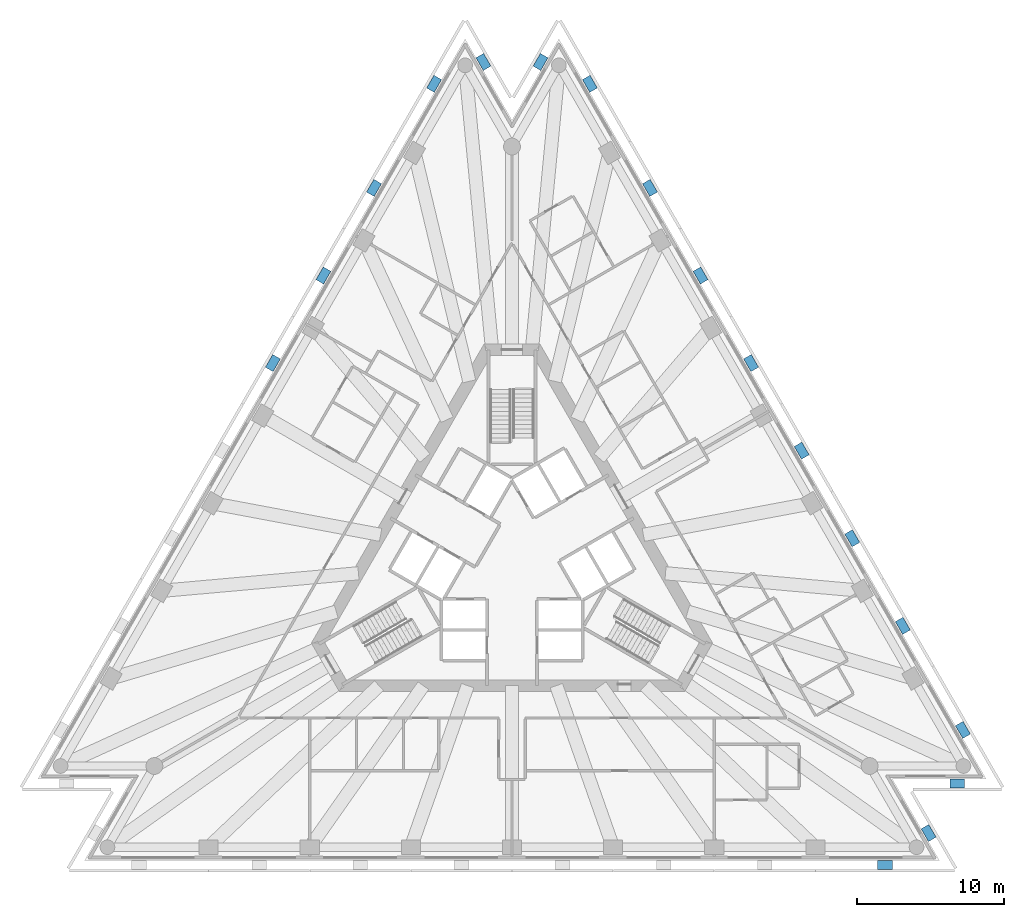
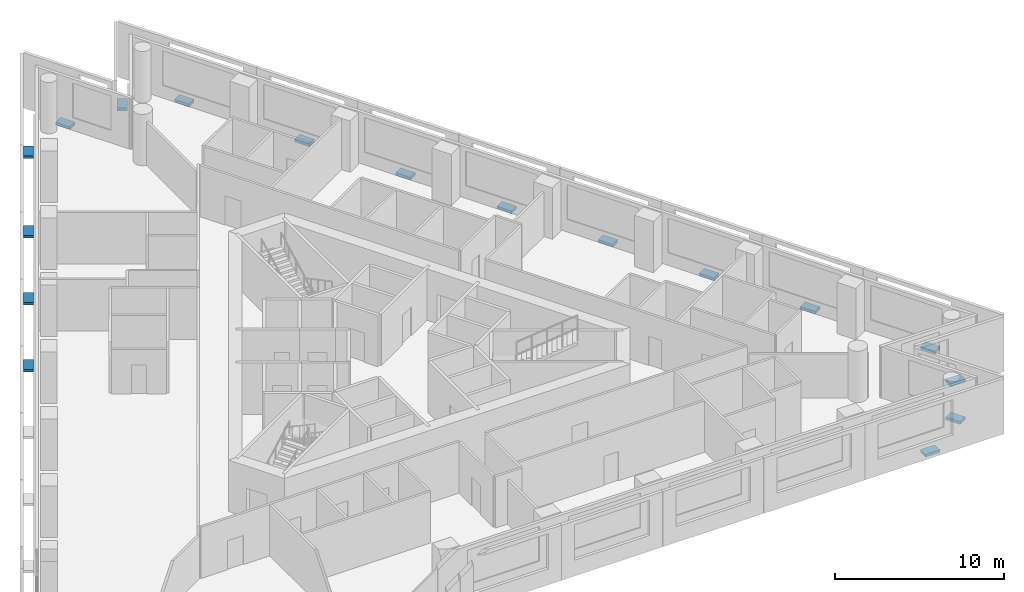
# One storey, part 8 of 10: 17 discrete accessories.
"""IFC4 building model written with IfcOpenShell, lengths in metres."""

from ifc_helpers import new_model, si_unit, direction, frame, origin, origin_2d, place, context, subcontext, project, spatial, rectangle, extrude, material, type_object, element, save


model = new_model("IFC4")

# Units and contexts
model_context = context("Model", 3, precision=1e-05, world=origin(), true_north=direction((0.0, 1.0)))
body_context = subcontext(model_context, "Body", "Model", "MODEL_VIEW")
ifc_project = project(units=[si_unit("LENGTHUNIT", "METRE"), si_unit("AREAUNIT", "SQUARE_METRE"), si_unit("VOLUMEUNIT", "CUBIC_METRE"), si_unit("PLANEANGLEUNIT", "RADIAN"), si_unit("MASSUNIT", "GRAM", prefix="KILO")], contexts=[model_context])

# Site, building, storey
site_placement = place(None, origin())
site = spatial("IfcSite", under=ifc_project, at=site_placement, CompositionType="ELEMENT")
building_placement = place(site_placement, origin())
building = spatial("IfcBuilding", under=site, at=building_placement, Name="Triada Interchange Tower", CompositionType="ELEMENT")
storey_placement = place(building_placement, frame((0.0, 0.0, 120.300048828125)))
storey = spatial("IfcBuildingStorey", under=building, at=storey_placement, Name="L27", CompositionType="ELEMENT", Elevation=120.300048828125)

# Discrete accessories
ifc_material = material(Name="Steel S355", Category="steel")
discrete_accessory_type = type_object("IfcDiscreteAccessoryType", Name="Steel bracket outer skin", PredefinedType="BRACKET", material=ifc_material)
for number, where, z_axis, x_axis, name in (
    (1, (-5.31298828125, 32.445068359375, -0.27001953125), (0.0, 0.0, 1.0), (-0.866028484274, 0.499994664397, 0.0), "Bracket L27 01"),
    (2, (-9.412109375, 25.345947265625, -0.27001953125), (0.0, 0.0, 1.0), (-0.866028484274, 0.499994664397, 0.0), "Bracket L27 02"),
    (3, (-12.860107421875, 19.373046875, -0.27001953125), (0.0, 0.0, 1.0), (-0.866028484274, 0.499994664397, 0.0), "Bracket L27 03"),
    (4, (-16.30908203125, 13.39892578125, -0.27001953125), (0.0, 0.0, 1.0), (-0.866028484274, 0.499994664397, 0.0), "Bracket L27 04"),
    (5, (25.44091796875, -20.823974609375, -0.27001953125), (0.0, 0.0, 1.0), (0.0, -1.0, 0.0), "Bracket L27 18"),
    (6, (28.416015625, -18.653076171875, -0.27001953125), (0.0, 0.0, 1.0), (0.865964345711, 0.500105740775, 0.0), "Bracket L27 19"),
    (7, (30.362060546875, -15.282958984375, -0.27001953125), (0.0, 0.0, 1.0), (0.0, -1.0, 0.0), "Bracket L27 20"),
    (8, (30.75390625, -11.62109375, -0.27001953125), (0.0, 0.0, 1.0), (0.866028484274, 0.499994664397, 0.0), "Bracket L27 21"),
    (9, (26.656005859375, -4.52197265625, -0.27001953125), (0.0, 0.0, 1.0), (0.866028484274, 0.499994664397, 0.0), "Bracket L27 22"),
    (10, (23.20703125, 1.450927734375, -0.27001953125), (0.0, 0.0, 1.0), (0.866028484274, 0.499994664397, 0.0), "Bracket L27 23"),
    (11, (19.758056640625, 7.425048828125, -0.27001953125), (0.0, 0.0, 1.0), (0.866028484274, 0.499994664397, 0.0), "Bracket L27 24"),
    (12, (16.30908203125, 13.39892578125, -0.27001953125), (0.0, 0.0, 1.0), (0.866028484274, 0.499994664397, 0.0), "Bracket L27 25"),
    (13, (12.860107421875, 19.373046875, -0.27001953125), (0.0, 0.0, 1.0), (0.866028484274, 0.499994664397, 0.0), "Bracket L27 26"),
    (14, (9.412109375, 25.345947265625, -0.27001953125), (0.0, 0.0, 1.0), (0.866028484274, 0.499994664397, 0.0), "Bracket L27 27"),
    (15, (5.31298828125, 32.445068359375, -0.27001953125), (0.0, 0.0, 1.0), (0.866028484274, 0.499994664397, 0.0), "Bracket L27 28"),
    (16, (1.946044921875, 33.93603515625, -0.27001953125), (0.0, 0.0, 1.0), (-0.866071092888, 0.4999208558, 0.0), "Bracket L27 29"),
    (17, (-1.946044921875, 33.93603515625, -0.27001953125), (0.0, 0.0, 1.0), (0.866071092888, 0.4999208558, 0.0), "Bracket L27 30"),
):
    element("IfcDiscreteAccessory", number, at=place(storey_placement, frame(where, z_axis=z_axis, x_axis=x_axis)), inside=storey, type_object=discrete_accessory_type, Name=name, PredefinedType="BRACKET", context=body_context, shape_type="SweptSolid", body=[
        extrude(rectangle(XDim=0.60009765625, YDim=1.0, at=origin_2d()), origin(), (0.0, 0.0, 1.0), 0.199951171875),
    ])

save(model, "model.ifc")
